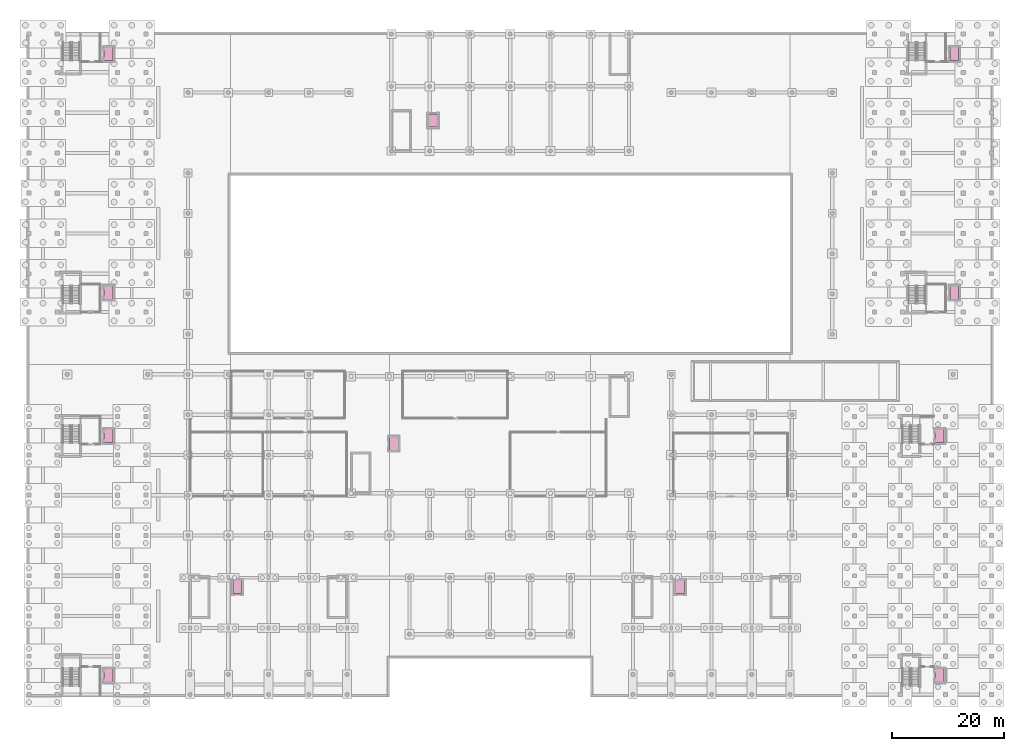
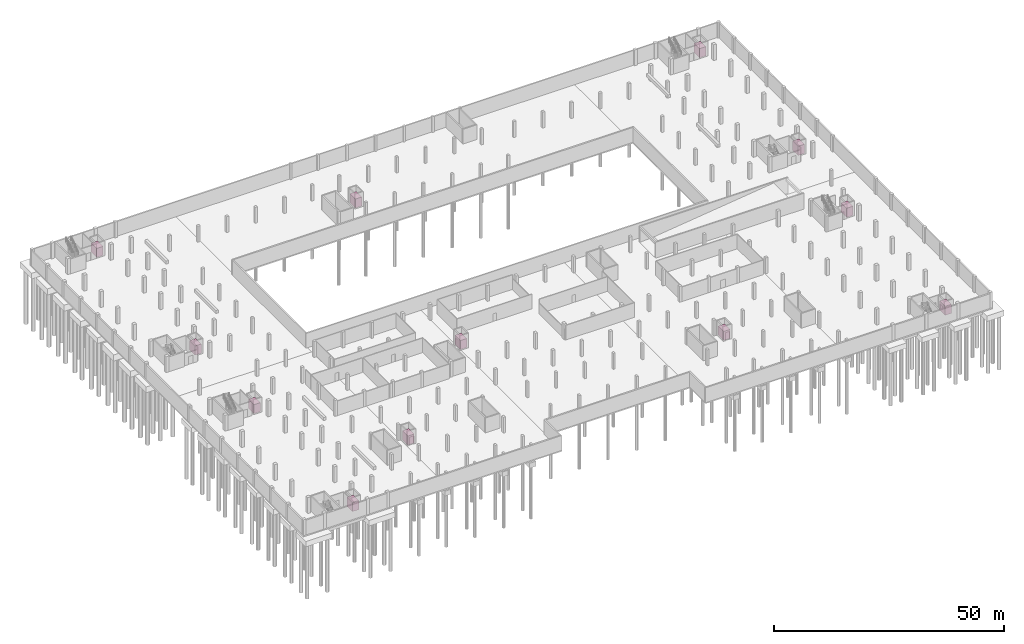
# One storey, part 36 of 36: 12 transport elements.
"""IFC4 building model written with IfcOpenShell, lengths in metres."""

from ifc_helpers import new_model, si_unit, derived_unit, direction, frame, origin, origin_2d, place, context, subcontext, project, spatial, rectangle, extrude, material, type_object, element, save


model = new_model("IFC4")

# Units and contexts
model_context = context("Model", 3, precision=1e-05, world=origin(), true_north=direction((0.0, 1.0)))
body_context = subcontext(model_context, "Body", "Model", "MODEL_VIEW")
ifc_project = project(units=[si_unit("LENGTHUNIT", "METRE"), si_unit("AREAUNIT", "SQUARE_METRE"), si_unit("VOLUMEUNIT", "CUBIC_METRE"), si_unit("PLANEANGLEUNIT", "RADIAN"), si_unit("MASSUNIT", "GRAM", prefix="KILO"), derived_unit("THERMALTRANSMITTANCEUNIT", [(si_unit("MASSUNIT", "GRAM", prefix="KILO"), 1), (si_unit("TIMEUNIT", "SECOND"), -3), (si_unit("THERMODYNAMICTEMPERATUREUNIT", "KELVIN"), -1)])], contexts=[model_context])

# Site, building, storey
site_placement = place(None, origin())
site = spatial("IfcSite", under=ifc_project, at=site_placement, CompositionType="ELEMENT")
building_placement = place(site_placement, origin())
building = spatial("IfcBuilding", under=site, at=building_placement, Name="Ochrekiln Boulevard Commons", CompositionType="ELEMENT")
storey_placement = place(building_placement, frame((0.0, 0.0, -4.199951171875)))
storey = spatial("IfcBuildingStorey", under=building, at=storey_placement, Name="B1", CompositionType="ELEMENT", Elevation=-4.199951171875)

# Transport elements
ifc_material = material(Name="Brushed stainless steel 316 elevator cab and doors", Category="steel")
transport_element_type_1 = type_object("IfcTransportElementType", Name="LFT-FSAE-1600", PredefinedType="ELEVATOR", material=ifc_material)
for number, where, z_axis, x_axis, name in (
    (1, (14.60009765625, 72.199951171875, 0.0), (0.0, 0.0, 1.0), (1.0, 0.0, 0.0), "Fire Service Access Elevator FF-A1"),
    (2, (14.60009765625, 114.89990234375, 0.0), (0.0, 0.0, 1.0), (1.0, 0.0, 0.0), "Fire Service Access Elevator FF-A2"),
    (3, (165.800048828125, 72.199951171875, 0.0), (0.0, 0.0, 1.0), (1.0, 0.0, 0.0), "Fire Service Access Elevator FF-B1"),
    (4, (165.800048828125, 114.89990234375, 0.0), (0.0, 0.0, 1.0), (1.0, 0.0, 0.0), "Fire Service Access Elevator FF-B2"),
):
    element("IfcTransportElement", number, at=place(storey_placement, frame(where, z_axis=z_axis, x_axis=x_axis)), inside=storey, type_object=transport_element_type_1, Name=name, PredefinedType="ELEVATOR", context=body_context, shape_type="SweptSolid", body=[
        extrude(rectangle(XDim=1.60009765625, YDim=2.39990234375, at=origin_2d()), origin(), (0.0, 0.0, 1.0), 2.39990234375),
    ])
transport_element_type_2 = type_object("IfcTransportElementType", Name="LFT-PASS-1600", PredefinedType="ELEVATOR", material=ifc_material)
for number, where, z_axis, x_axis, name in (
    (5, (163.199951171875, 3.800048828125, 0.0), (0.0, 0.0, 1.0), (1.0, 0.0, 0.0), "Passenger Elevator LP-C1"),
    (6, (163.199951171875, 46.60009765625, 0.0), (0.0, 0.0, 1.0), (1.0, 0.0, 0.0), "Passenger Elevator LP-C2"),
    (7, (14.60009765625, 3.800048828125, 0.0), (0.0, 0.0, 1.0), (1.0, 0.0, 0.0), "Passenger Elevator LP-D1"),
    (8, (14.60009765625, 46.60009765625, 0.0), (0.0, 0.0, 1.0), (1.0, 0.0, 0.0), "Passenger Elevator LP-D2"),
    (9, (65.60009765625, 45.199951171875, 0.0), (0.0, 0.0, 1.0), (1.0, 0.0, 0.0), "Passenger Elevator LP-H1"),
    (10, (72.60009765625, 103.0, 0.0), (0.0, 0.0, 1.0), (1.0, 0.0, 0.0), "Passenger Elevator LP-N1"),
    (11, (37.60009765625, 19.60009765625, 0.0), (0.0, 0.0, 1.0), (1.0, 0.0, 0.0), "Passenger Elevator LP-S1"),
    (12, (116.800048828125, 19.60009765625, 0.0), (0.0, 0.0, 1.0), (1.0, 0.0, 0.0), "Passenger Elevator LP-S2"),
):
    element("IfcTransportElement", number, at=place(storey_placement, frame(where, z_axis=z_axis, x_axis=x_axis)), inside=storey, type_object=transport_element_type_2, Name=name, PredefinedType="ELEVATOR", context=body_context, shape_type="SweptSolid", body=[
        extrude(rectangle(XDim=1.60009765625, YDim=2.39990234375, at=origin_2d()), origin(), (0.0, 0.0, 1.0), 2.39990234375),
    ])

save(model, "model.ifc")
